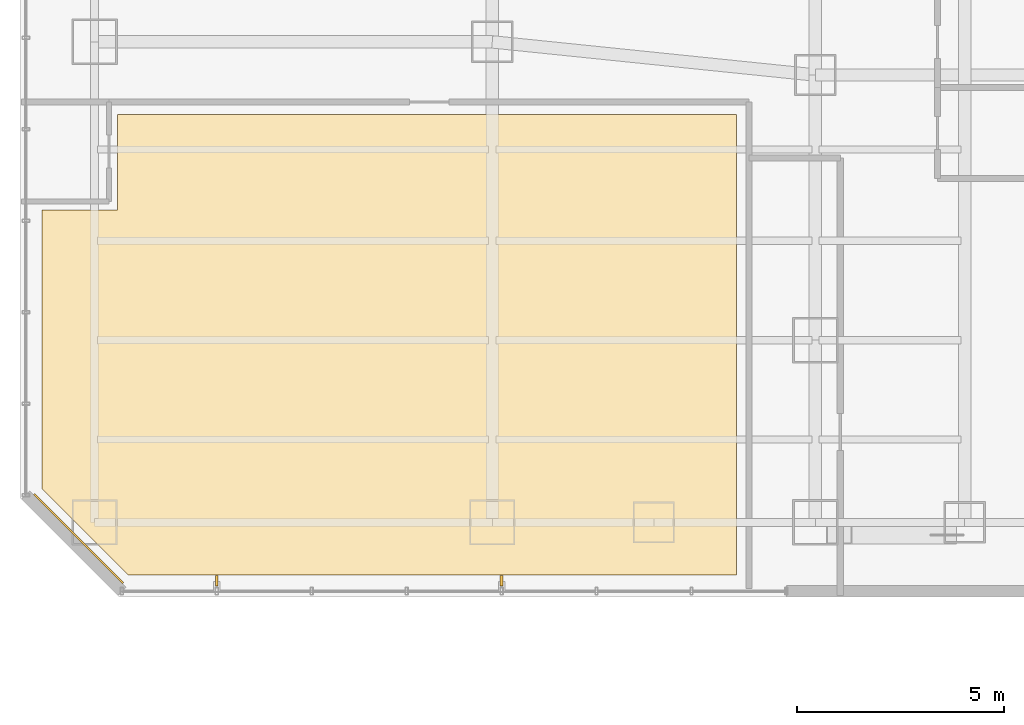
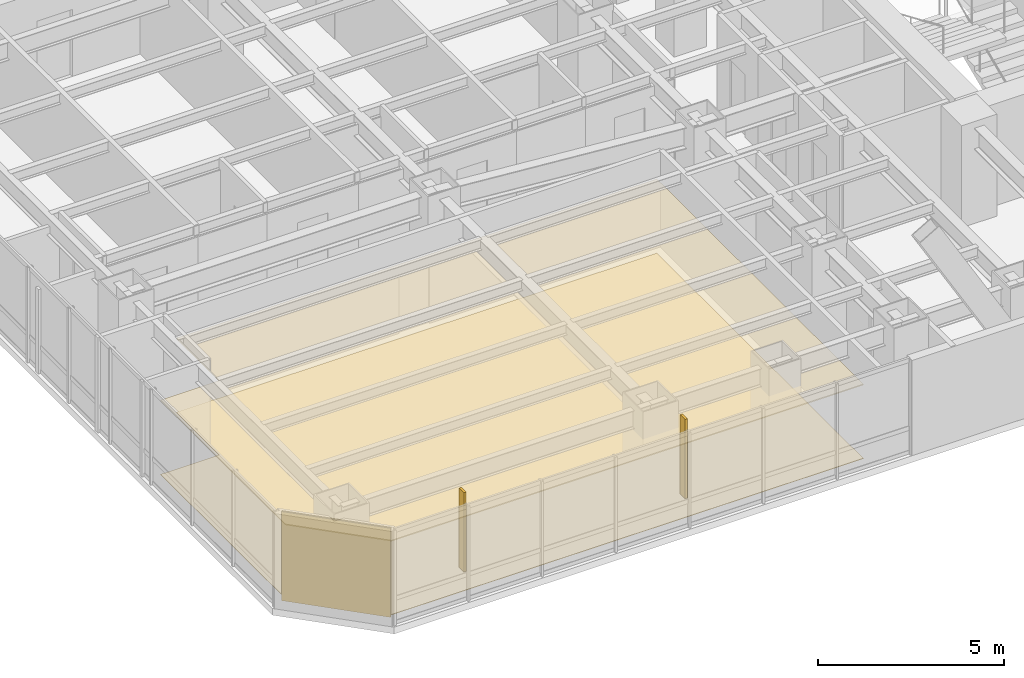
# One storey, part 28 of 33: 3 coverings, 2 shading devices.
"""IFC4 building model written with IfcOpenShell, lengths in metres."""

from ifc_helpers import new_model, si_unit, direction, frame, origin, origin_2d, place, context, subcontext, project, spatial, polyline, rectangle, outline, extrude, material, layer, layer_set, type_object, element, save


model = new_model("IFC4")

# Units and contexts
model_context = context("Model", 3, precision=1e-05, world=origin(), true_north=direction((0.0, 1.0)))
body_context = subcontext(model_context, "Body", "Model", "MODEL_VIEW")
ifc_project = project(units=[si_unit("LENGTHUNIT", "METRE"), si_unit("AREAUNIT", "SQUARE_METRE"), si_unit("VOLUMEUNIT", "CUBIC_METRE"), si_unit("PLANEANGLEUNIT", "RADIAN"), si_unit("MASSUNIT", "GRAM", prefix="KILO")], contexts=[model_context])

# Site, building, storey
site_placement = place(None, origin())
site = spatial("IfcSite", under=ifc_project, at=site_placement, CompositionType="ELEMENT")
building_placement = place(site_placement, origin())
building = spatial("IfcBuilding", under=site, at=building_placement, Name="Hatsunagi Terrace Concourse", CompositionType="ELEMENT")
storey_placement = place(building_placement, frame((0.0, 0.0, 56.699951171875)))
storey = spatial("IfcBuildingStorey", under=building, at=storey_placement, Name="L14", CompositionType="ELEMENT", Elevation=56.699951171875)

# Covering
ifc_material_1 = material(Name="Hardwood timber", Category="wood")
ifc_layer_1 = layer(ifc_material_1, 0.014892578125)
ifc_layer_set_1 = layer_set([ifc_layer_1], Name="HardwoodTimberFlooring_15")
covering_type_1 = type_object("IfcCoveringType", Name="HardwoodTimberFlooring_15", PredefinedType="FLOORING", material=ifc_layer_set_1)
covering_1_placement = place(storey_placement, origin())
element("IfcCovering", 1, at=covering_1_placement, inside=storey, type_object=covering_type_1, Name="Finished Flooring L14-1", PredefinedType="FLOORING", context=body_context, shape_type="SweptSolid", body=[
    extrude(outline(polyline([(2.6201171875, 23.929931640625), (17.2900390625, 23.929931640625), (17.2900390625, 35.050048828125), (2.35791015625, 35.050048828125), (2.35595703125, 32.7451171875), (0.530029296875, 32.741943359375), (0.530029296875, 26.02001953125), (2.6201171875, 23.929931640625)])), origin(), (0.0, 0.0, 1.0), 0.01513671875),
])

# Shading devices
ifc_material_2 = material(Name="Extruded Unglazed Terracotta Baguette", Category="masonry")
shading_device_type = type_object("IfcShadingDeviceType", Name="TerracottaFinScreen_260x70", PredefinedType="USERDEFINED", material=ifc_material_2)
for number, where, z_axis, x_axis, name in (
    (2, (11.625, 23.7900390625, 0.85009765625), (0.0, 0.0, 1.0), (-1.0, 0.0, 0.0), "Terracotta Baguette Fin Screen SCR-01"),
    (3, (4.75, 23.7900390625, 0.85009765625), (0.0, 0.0, 1.0), (-1.0, 0.0, 0.0), "Terracotta Baguette Fin Screen SCR-01"),
):
    element("IfcShadingDevice", number, at=place(storey_placement, frame(where, z_axis=z_axis, x_axis=x_axis)), inside=storey, type_object=shading_device_type, Name=name, ObjectType="SUNSHADE", PredefinedType="USERDEFINED", context=body_context, shape_type="SweptSolid", body=[
        extrude(rectangle(XDim=0.070068359375, YDim=0.260009765625, at=origin_2d()), origin(), (0.0, 0.0, 1.0), 2.60009765625),
    ])

# Coverings
ifc_material_3 = material(Name="Unglazed Warm Terracotta Rainscreen Tile", Category="masonry")
ifc_layer_2 = layer(ifc_material_3, 0.044921875)
ifc_layer_set_2 = layer_set([ifc_layer_2], Name="TerracottaRainscreenCladding_45")
covering_type_2 = type_object("IfcCoveringType", Name="TerracottaRainscreenCladding_45", PredefinedType="CLADDING", material=ifc_layer_set_2)
covering_2_placement = place(storey_placement, frame((1.4140625, 24.81396484375, 0.10009765625), z_axis=(0.0, 0.0, 1.0), x_axis=(-0.707106781187, 0.707106781187, 0.0)))
element("IfcCovering", 4, at=covering_2_placement, inside=storey, type_object=covering_type_2, Name="Terracotta Rainscreen Cladding L14-08", PredefinedType="CLADDING", context=body_context, shape_type="SweptSolid", body=[
    extrude(rectangle(XDim=3.0380859375, YDim=0.044921875, at=origin_2d()), origin(), (0.0, 0.0, 1.0), 2.929931640625),
])
ifc_material_4 = material(Name="Hardwood timber", Category="wood")
ifc_layer_3 = layer(ifc_material_4, 0.034912109375)
ifc_layer_set_3 = layer_set([ifc_layer_3], Name="TimberBaffleCeiling_35")
covering_type_3 = type_object("IfcCoveringType", Name="TimberBaffleCeiling_35", PredefinedType="CEILING", material=ifc_layer_set_3)
covering_3_placement = place(storey_placement, frame((0.0, 0.0, 2.420166015625)))
element("IfcCovering", 5, at=covering_3_placement, inside=storey, type_object=covering_type_3, Name="Suspended Ceiling L14-1", PredefinedType="CEILING", context=body_context, shape_type="SweptSolid", body=[
    extrude(outline(polyline([(2.6201171875, 23.929931640625), (17.2900390625, 23.929931640625), (17.2900390625, 35.050048828125), (2.35791015625, 35.050048828125), (2.35595703125, 32.7451171875), (0.530029296875, 32.741943359375), (0.530029296875, 26.02001953125), (2.6201171875, 23.929931640625)])), origin(), (0.0, 0.0, 1.0), 0.034912109375),
])

save(model, "model.ifc")
